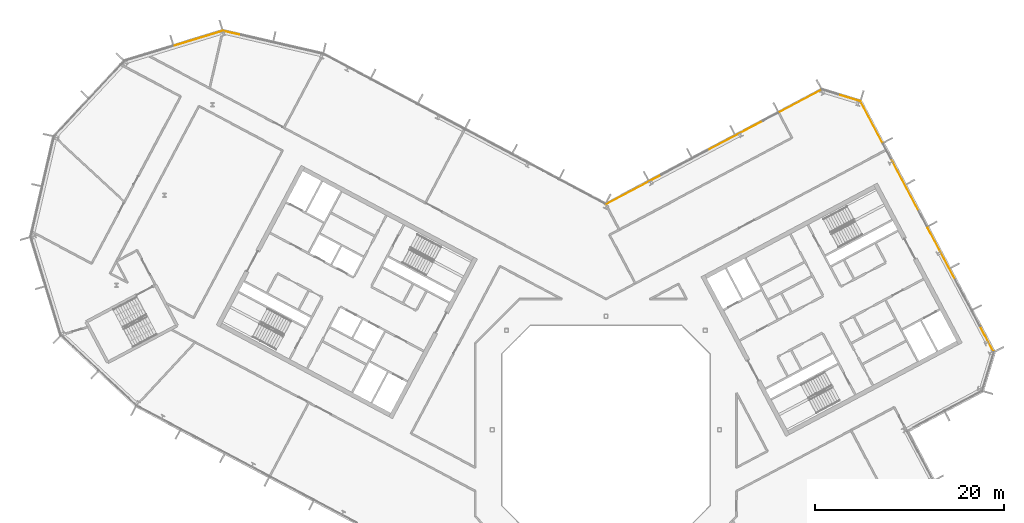
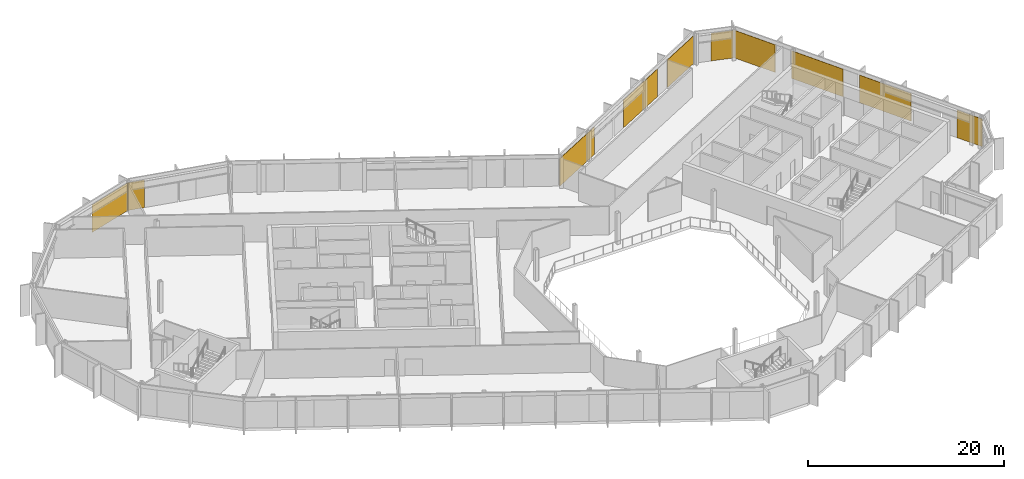
# One storey, part 26 of 26: 10 coverings, 5 elements without a shape of their own.
"""IFC4 building model written with IfcOpenShell, lengths in metres."""

import ifcopenshell
import ifcopenshell.guid

model = None  # the IFC model being written
_history = None  # IfcOwnerHistory: only IFC2X3 demands one
_inside = {}  # id of a spatial element -> (the spatial element, [elements in it])
_under = {}  # id of a project, library or spatial element -> (it, [spatial elements below it])
_declared = {}  # id of a project -> (the project, [libraries it declares])
_typed = {}  # id of a type object -> (the type object, [elements of that type])
_made_of = {}  # id of a material, layer set ... -> (it, [elements and type objects made of it])


def new_model(schema):
    """Start an empty IFC model of exactly this schema.

    Asked for "IFC4X3", IfcOpenShell would pick the latest addendum, in which some entities
    have other attributes; the version numbers below select the first issue.
    IFC2X3 requires an IfcOwnerHistory on every rooted entity: one is made here for all.
    """
    global model, _history
    if schema == "IFC4X3":
        model = ifcopenshell.file(schema_version=(4, 3, 0, 0))
    else:
        model = ifcopenshell.file(schema=schema)
    _inside.clear()
    _under.clear()
    _declared.clear()
    _typed.clear()
    _made_of.clear()
    _history = None
    if model.schema == "IFC2X3":
        org = make("IfcOrganization", Name="unknown")
        user = make(
            "IfcPersonAndOrganization",
            ThePerson=make("IfcPerson", FamilyName="unknown"),
            TheOrganization=org,
        )
        app = make(
            "IfcApplication",
            ApplicationDeveloper=org,
            Version="unknown",
            ApplicationFullName="unknown",
            ApplicationIdentifier="unknown",
        )
        _history = make(
            "IfcOwnerHistory",
            OwningUser=user,
            OwningApplication=app,
            ChangeAction="ADDED",
            CreationDate=0,
        )
    return model


def make(cls, **values):
    """One entity of the class cls with the attributes given. An attribute that is None is left unset."""
    return model.create_entity(
        cls, **{name: value for name, value in values.items() if value is not None}
    )


def rooted(cls, **values):
    """An entity with a GlobalId (a new one), such as an element, a storey or a relation."""
    return make(cls, GlobalId=ifcopenshell.guid.new(), OwnerHistory=_history, **values)


def si_unit(unit_type, name, prefix=None):
    """IfcSIUnit, for example si_unit("LENGTHUNIT", "METRE", prefix="MILLI")."""
    return make("IfcSIUnit", UnitType=unit_type, Prefix=prefix, Name=name)


def assignment(units):
    """IfcUnitAssignment: the units of a project."""
    return None if units is None else make("IfcUnitAssignment", Units=units)


def point(xyz):
    """IfcCartesianPoint."""
    return None if xyz is None else make("IfcCartesianPoint", Coordinates=xyz)


def direction(xyz):
    """IfcDirection."""
    return None if xyz is None else make("IfcDirection", DirectionRatios=xyz)


def frame(location, z_axis=None, x_axis=None):
    """IfcAxis2Placement3D, a coordinate frame: its origin and axes. An axis left out is left unset."""
    return make(
        "IfcAxis2Placement3D",
        Location=point(location),
        Axis=direction(z_axis),
        RefDirection=direction(x_axis),
    )


def frame_2d(location, x_axis=None):
    """IfcAxis2Placement2D, a coordinate frame in the plane: its origin and x axis."""
    return make(
        "IfcAxis2Placement2D", Location=point(location), RefDirection=direction(x_axis)
    )


def origin():
    """The frame at (0, 0, 0) with its axes left unset."""
    return frame((0.0, 0.0, 0.0))


def origin_2d():
    """The frame at (0, 0) in the plane with its x axis left unset."""
    return frame_2d((0.0, 0.0))


def place(relative_to, where):
    """IfcLocalPlacement: puts the frame where relative to a parent placement (None: the world)."""
    return make(
        "IfcLocalPlacement", PlacementRelTo=relative_to, RelativePlacement=where
    )


def context(
    kind, dimensions, precision=None, world=None, true_north=None, identifier=None
):
    """IfcGeometricRepresentationContext, for example the 3D "Model" context."""
    return make(
        "IfcGeometricRepresentationContext",
        ContextIdentifier=identifier,
        ContextType=kind,
        CoordinateSpaceDimension=dimensions,
        Precision=precision,
        WorldCoordinateSystem=world,
        TrueNorth=true_north,
    )


def subcontext(parent, identifier, kind, view, scale=None):
    """IfcGeometricRepresentationSubContext, for example "Body" below "Model"."""
    return make(
        "IfcGeometricRepresentationSubContext",
        ContextIdentifier=identifier,
        ContextType=kind,
        ParentContext=parent,
        TargetScale=scale,
        TargetView=view,
    )


def project(units=None, contexts=None):
    """IfcProject with its units and contexts."""
    return rooted(
        "IfcProject",
        Name="project",
        RepresentationContexts=contexts,
        UnitsInContext=assignment(units),
    )


def spatial(cls, under=None, at=None, **own):
    """A site, building, storey or space (cls), placed at a placement, below another one or the project."""
    s = rooted(cls, ObjectPlacement=at, **own)
    if under is not None:
        _under.setdefault(under.id(), (under, []))[1].append(s)
    return s


def profile(cls, at=None, kind="AREA", **sizes):
    """A parametric profile (cls). Its sizes go by their IFC names, for example OverallWidth=200.0."""
    return make(cls, ProfileType=kind, Position=at, **sizes)


def rectangle(**sizes):
    """IfcRectangleProfileDef."""
    return profile("IfcRectangleProfileDef", **sizes)


def extrude(swept, where, along, depth):
    """IfcExtrudedAreaSolid: the profile swept, set in the frame where, extruded along a direction by depth."""
    return make(
        "IfcExtrudedAreaSolid",
        SweptArea=swept,
        Position=where,
        ExtrudedDirection=direction(along),
        Depth=depth,
    )


def shape(context_of_items, identifier, shape_type, items):
    """IfcShapeRepresentation: the items that make up one representation, for example the "Body"."""
    return make(
        "IfcShapeRepresentation",
        ContextOfItems=context_of_items,
        RepresentationIdentifier=identifier,
        RepresentationType=shape_type,
        Items=items,
    )


def material(Name=None, Category=None):
    """IfcMaterial."""
    return make("IfcMaterial", Name=Name, Category=Category)


def layer(
    of_material, thickness, ventilated=None, Name=None, Category=None, Priority=None
):
    """IfcMaterialLayer: one layer of a wall or slab, of a material (None: an air gap)."""
    return make(
        "IfcMaterialLayer",
        Material=of_material,
        LayerThickness=thickness,
        IsVentilated=ventilated,
        Name=Name,
        Category=Category,
        Priority=Priority,
    )


def layer_set(layers, Name=None):
    """IfcMaterialLayerSet."""
    return make("IfcMaterialLayerSet", MaterialLayers=layers, LayerSetName=Name)


def made_of(thing, what):
    """Note that an element or type object is made of a material, layer set ...; save() writes the relation."""
    if what is not None:
        _made_of.setdefault(what.id(), (what, []))[1].append(thing)
    return thing


def type_object(cls, material=None, **own):
    """A type object (cls), such as IfcWallType, which elements share."""
    return made_of(rooted(cls, **own), material)


def element(
    cls,
    number,
    at=None,
    inside=None,
    cuts=None,
    type_object=None,
    material=None,
    context=None,
    identifier="Body",
    shape_type=None,
    held_by="IfcProductDefinitionShape",
    body=None,
    shapes=None,
    **own,
):
    """One element of the class cls, such as IfcWall. Its Tag is "e" and its number.

    at: its placement. inside: the storey or other place that contains it. cuts: it is an
    opening in that element (IfcRelVoidsElement). A single representation is given by context,
    identifier, shape_type and body (its items); several are given by shapes. held_by: the class
    of the entity that holds the representations. save() writes the other relations.
    """
    e = rooted(cls, Tag="e%d" % number, ObjectPlacement=at, **own)
    if body is not None:
        shapes = [shape(context, identifier, shape_type, body)]
    if shapes is not None:
        e.Representation = make(held_by, Representations=shapes)
    if inside is not None:
        _inside.setdefault(inside.id(), (inside, []))[1].append(e)
    if cuts is not None:
        rooted(
            "IfcRelVoidsElement", RelatingBuildingElement=cuts, RelatedOpeningElement=e
        )
    if type_object is not None:
        _typed.setdefault(type_object.id(), (type_object, []))[1].append(e)
    return made_of(e, material)


def aggregate(whole, parts):
    """IfcRelAggregates: a whole, such as a stair, and the parts it consists of."""
    return rooted("IfcRelAggregates", RelatingObject=whole, RelatedObjects=parts)


def save(model, path):
    """Write the relations noted so far, then the file.

    IfcRelAggregates (storeys below a building ...), IfcRelContainedInSpatialStructure (elements
    in a storey), IfcRelDefinesByType, IfcRelAssociatesMaterial and IfcRelDeclares: one each for
    every whole, place, type object, material and project.
    """
    for whole, parts in _under.values():
        aggregate(whole, parts)
    for where, things in _inside.values():
        rooted(
            "IfcRelContainedInSpatialStructure",
            RelatedElements=things,
            RelatingStructure=where,
        )
    for kind, things in _typed.values():
        rooted("IfcRelDefinesByType", RelatedObjects=things, RelatingType=kind)
    for what, things in _made_of.values():
        rooted("IfcRelAssociatesMaterial", RelatedObjects=things, RelatingMaterial=what)
    for by, libraries in _declared.values():
        rooted("IfcRelDeclares", RelatingContext=by, RelatedDefinitions=libraries)
    model.write(path)


model = new_model("IFC4")

# Units and contexts
model_context = context("Model", 3, precision=1e-05, world=origin(), true_north=direction((0.0, 1.0)))
body_context = subcontext(model_context, "Body", "Model", "MODEL_VIEW")
ifc_project = project(units=[si_unit("LENGTHUNIT", "METRE"), si_unit("AREAUNIT", "SQUARE_METRE"), si_unit("VOLUMEUNIT", "CUBIC_METRE"), si_unit("PLANEANGLEUNIT", "RADIAN"), si_unit("MASSUNIT", "GRAM", prefix="KILO")], contexts=[model_context])

# Site, building, storey
site_placement = place(None, origin())
site = spatial("IfcSite", under=ifc_project, at=site_placement, CompositionType="ELEMENT")
building_placement = place(site_placement, origin())
building = spatial("IfcBuilding", under=site, at=building_placement, Name="Cormorant Relay Tower", CompositionType="ELEMENT")
storey_placement = place(building_placement, frame((0.0, 0.0, 277.5)))
storey = spatial("IfcBuildingStorey", under=building, at=storey_placement, Name="L62", CompositionType="ELEMENT", Elevation=277.5)

# Curtain wall, coverings
ifc_material_1 = material(Name="Aluminium 6063-T6 anodised bronze", Category="aluminium")
ifc_layer_1 = layer(ifc_material_1, 0.199951171875)
ifc_layer_set_1 = layer_set([ifc_layer_1], Name="CW1 unitised bronze curtain wall with vertical fins")
curtain_wall_type = type_object("IfcCurtainWallType", Name="CW1 unitised bronze curtain wall with vertical fins", PredefinedType="NOTDEFINED", material=ifc_layer_set_1)
curtain_wall_1_placement = place(storey_placement, origin())
curtain_wall_1 = element("IfcCurtainWall", 1, at=curtain_wall_1_placement, inside=storey, type_object=curtain_wall_type, Name="CW1 curtain wall 6", PredefinedType="NOTDEFINED")
ifc_material_2 = material(Name="Pale bronze anodised aluminium insulated panel", Category="aluminium")
ifc_layer_2 = layer(ifc_material_2, 0.0400390625)
ifc_layer_set_2 = layer_set([ifc_layer_2], Name="CW1 pale bronze insulated panel 40")
covering_type = type_object("IfcCoveringType", Name="CW1 pale bronze insulated panel 40", PredefinedType="CLADDING", material=ifc_layer_set_2)
covering_1_placement = place(storey_placement, frame((40.218017578125, 9.605712890625, 0.0), z_axis=(0.0, 0.0, 1.0), x_axis=(-0.469471562786, 0.882947592859, 0.0)))
covering_1 = element("IfcCovering", 2, at=covering_1_placement, type_object=covering_type, Name="CW1 panel S00", PredefinedType="CLADDING", context=body_context, shape_type="SweptSolid", body=[
    extrude(rectangle(XDim=3.050048828125, YDim=0.0400390625, at=origin_2d()), origin(), (0.0, 0.0, 1.0), 3.449951171875),
])
covering_2_placement = place(storey_placement, frame((35.429443359375, 18.61181640625, 0.0), z_axis=(0.0, 0.0, 1.0), x_axis=(-0.469471562786, 0.882947592859, 0.0)))
covering_2 = element("IfcCovering", 3, at=covering_2_placement, type_object=covering_type, Name="CW1 panel S03", PredefinedType="CLADDING", context=body_context, shape_type="SweptSolid", body=[
    extrude(rectangle(XDim=6.25, YDim=0.0400390625, at=origin_2d()), origin(), (0.0, 0.0, 1.0), 3.449951171875),
])
covering_3_placement = place(storey_placement, frame((31.579833984375, 25.851806640625, 0.0), z_axis=(0.0, 0.0, 1.0), x_axis=(-0.469471562786, 0.882947592859, 0.0)))
covering_3 = element("IfcCovering", 4, at=covering_3_placement, type_object=covering_type, Name="CW1 panel S05", PredefinedType="CLADDING", context=body_context, shape_type="SweptSolid", body=[
    extrude(rectangle(XDim=6.25, YDim=0.0400390625, at=origin_2d()), origin(), (0.0, 0.0, 1.0), 3.449951171875),
])
covering_4_placement = place(storey_placement, frame((28.041015625, 32.507080078125, 0.0), z_axis=(0.0, 0.0, 1.0), x_axis=(-0.469471562786, 0.882947592859, 0.0)))
covering_4 = element("IfcCovering", 5, at=covering_4_placement, type_object=covering_type, Name="CW1 panel S07", PredefinedType="CLADDING", context=body_context, shape_type="SweptSolid", body=[
    extrude(rectangle(XDim=4.925048828125, YDim=0.0400390625, at=origin_2d()), origin(), (0.0, 0.0, 1.0), 3.449951171875),
])
aggregate(curtain_wall_1, [covering_1, covering_2, covering_3, covering_4])

# Curtain wall, covering
curtain_wall_2_placement = place(storey_placement, origin())
curtain_wall_2 = element("IfcCurtainWall", 6, at=curtain_wall_2_placement, inside=storey, type_object=curtain_wall_type, Name="CW1 curtain wall 7", PredefinedType="NOTDEFINED")
covering_5_placement = place(storey_placement, frame((25.66943359375, 35.05908203125, 0.0), z_axis=(0.0, 0.0, 1.0), x_axis=(-0.956304755963, 0.292371704723, 0.0)))
covering_5 = element("IfcCovering", 7, at=covering_5_placement, type_object=covering_type, Name="CW1 panel S00", PredefinedType="CLADDING", context=body_context, shape_type="SweptSolid", body=[
    extrude(rectangle(XDim=2.36767578125, YDim=0.0400390625, at=origin_2d()), origin(), (0.0, 0.0, 1.0), 3.449951171875),
])
aggregate(curtain_wall_2, [covering_5])

# Curtain wall, coverings
curtain_wall_3_placement = place(storey_placement, origin())
curtain_wall_3 = element("IfcCurtainWall", 8, at=curtain_wall_3_placement, inside=storey, type_object=curtain_wall_type, Name="CW1 curtain wall 8", PredefinedType="NOTDEFINED")
covering_6_placement = place(storey_placement, frame((20.519775390625, 34.71728515625, 0.0), z_axis=(0.0, 0.0, 1.0), x_axis=(-0.882947592859, -0.469471562786, 0.0)))
covering_6 = element("IfcCovering", 9, at=covering_6_placement, type_object=covering_type, Name="CW1 panel S00", PredefinedType="CLADDING", context=body_context, shape_type="SweptSolid", body=[
    extrude(rectangle(XDim=5.016845703125, YDim=0.0400390625, at=origin_2d()), origin(), (0.0, 0.0, 1.0), 3.449951171875),
])
covering_7_placement = place(storey_placement, frame((13.6767578125, 31.07861328125, 0.0), z_axis=(0.0, 0.0, 1.0), x_axis=(-0.882947592859, -0.469471562786, 0.0)))
covering_7 = element("IfcCovering", 10, at=covering_7_placement, type_object=covering_type, Name="CW1 panel S02", PredefinedType="CLADDING", context=body_context, shape_type="SweptSolid", body=[
    extrude(rectangle(XDim=6.58349609375, YDim=0.0400390625, at=origin_2d()), origin(), (0.0, 0.0, 1.0), 3.449951171875),
])
covering_8_placement = place(storey_placement, frame((2.93017578125, 25.36474609375, 0.0), z_axis=(0.0, 0.0, 1.0), x_axis=(-0.882947592859, -0.469471562786, 0.0)))
covering_8 = element("IfcCovering", 11, at=covering_8_placement, type_object=covering_type, Name="CW1 panel S05", PredefinedType="CLADDING", context=body_context, shape_type="SweptSolid", body=[
    extrude(rectangle(XDim=6.65869140625, YDim=0.0400390625, at=origin_2d()), origin(), (0.0, 0.0, 1.0), 3.449951171875),
])
aggregate(curtain_wall_3, [covering_6, covering_7, covering_8])

# Curtain wall, covering
curtain_wall_4_placement = place(storey_placement, origin())
curtain_wall_4 = element("IfcCurtainWall", 12, at=curtain_wall_4_placement, inside=storey, type_object=curtain_wall_type, Name="CW1 curtain wall 10", PredefinedType="NOTDEFINED")
covering_9_placement = place(storey_placement, frame((-39.603515625, 41.934814453125, 0.0), z_axis=(0.0, 0.0, 1.0), x_axis=(-0.974370064785, 0.224951054344, 0.0)))
covering_9 = element("IfcCovering", 13, at=covering_9_placement, type_object=covering_type, Name="CW1 panel S03", PredefinedType="CLADDING", context=body_context, shape_type="SweptSolid", body=[
    extrude(rectangle(XDim=1.76025390625, YDim=0.0400390625, at=origin_2d()), origin(), (0.0, 0.0, 1.0), 3.449951171875),
])
aggregate(curtain_wall_4, [covering_9])

curtain_wall_5_placement = place(storey_placement, origin())
curtain_wall_5 = element("IfcCurtainWall", 14, at=curtain_wall_5_placement, inside=storey, type_object=curtain_wall_type, Name="CW1 curtain wall 11", PredefinedType="NOTDEFINED")
covering_10_placement = place(storey_placement, frame((-43.0703125, 41.337890625, 0.0), z_axis=(0.0, 0.0, 1.0), x_axis=(-0.956304755963, -0.292371704723, 0.0)))
covering_10 = element("IfcCovering", 15, at=covering_10_placement, type_object=covering_type, Name="CW1 panel S00", PredefinedType="CLADDING", context=body_context, shape_type="SweptSolid", body=[
    extrude(rectangle(XDim=5.28515625, YDim=0.0400390625, at=origin_2d()), origin(), (0.0, 0.0, 1.0), 3.449951171875),
])
aggregate(curtain_wall_5, [covering_10])

save(model, "model.ifc")
